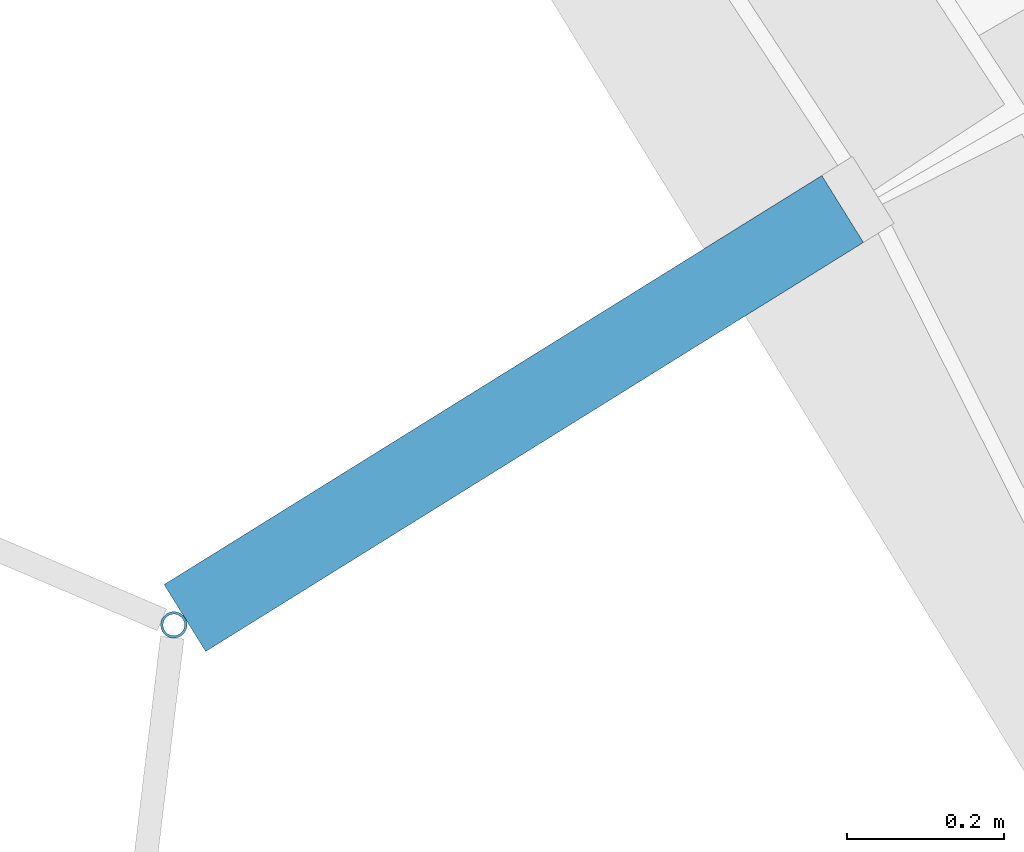
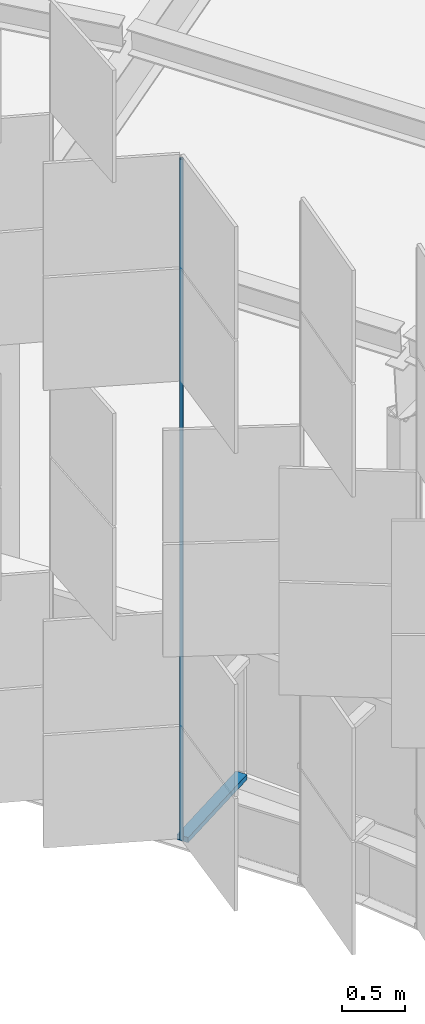
# One storey, part 252 of 483: 2 discrete accessories.
"""IFC4 building model written with IfcOpenShell, lengths in metres."""

from ifc_helpers import new_model, si_unit, direction, frame, origin, origin_2d, place, context, subcontext, project, spatial, rectangle, hollow_circle, extrude, material, material_profile, profile_set, type_object, element, save


model = new_model("IFC4")

# Units and contexts
model_context = context("Model", 3, precision=1e-05, world=origin(), true_north=direction((0.0, 1.0)))
body_context = subcontext(model_context, "Body", "Model", "MODEL_VIEW")
ifc_project = project(units=[si_unit("LENGTHUNIT", "METRE"), si_unit("AREAUNIT", "SQUARE_METRE"), si_unit("VOLUMEUNIT", "CUBIC_METRE"), si_unit("PLANEANGLEUNIT", "RADIAN"), si_unit("MASSUNIT", "GRAM", prefix="KILO")], contexts=[model_context])

# Site, building, storey
site_placement = place(None, origin())
site = spatial("IfcSite", under=ifc_project, at=site_placement, CompositionType="ELEMENT")
building_placement = place(site_placement, origin())
building = spatial("IfcBuilding", under=site, at=building_placement, Name="Parallax Yard Mobility Hub", CompositionType="ELEMENT")
storey_placement = place(building_placement, frame((0.0, 0.0, 13.199951171875)))
storey = spatial("IfcBuildingStorey", under=building, at=storey_placement, Name="L04", CompositionType="ELEMENT", Elevation=13.199951171875)

# Discrete accessories
ifc_material_1 = material(Name="Steel ASTM A36, hot-dip galvanised", Category="steel")
discrete_accessory_type_1 = type_object("IfcDiscreteAccessoryType", Name="Hinge bracket plate 100x50", PredefinedType="BRACKET", material=ifc_material_1)
discrete_accessory_1_placement = place(storey_placement, frame((191.56298828125, 100.998779296875, -0.02490234375), z_axis=(0.0, 0.0, 1.0), x_axis=(-0.849202181527, -0.52806785065, 0.0)))
element("IfcDiscreteAccessory", 1, at=discrete_accessory_1_placement, inside=storey, type_object=discrete_accessory_type_1, Name="Hinge bracket plate bay 21.3 level L04", PredefinedType="BRACKET", context=body_context, shape_type="SweptSolid", body=[
    extrude(rectangle(XDim=0.984130859375, YDim=0.10009765625, at=origin_2d()), origin(), (0.0, 0.0, 1.0), 0.050048828125),
])
ifc_material_2 = material(Name="Steel ASTM A500 Gr C, hot-dip galvanised", Category="steel")
ifc_material_profile = material_profile(ifc_material_2, hollow_circle(Radius=0.016845703125, WallThickness=0.003173828125, at=origin_2d()), Name="CHS 33.7x3.2")
ifc_profile_set = profile_set([ifc_material_profile], Name="Steel ASTM A500 Gr C, hot-dip galvanised")
discrete_accessory_type_2 = type_object("IfcDiscreteAccessoryType", Name="Hinge post CHS 33.7x3.2", PredefinedType="BRACKET", material=ifc_profile_set)
discrete_accessory_2_placement = place(storey_placement, frame((191.131103515625, 100.730224609375, 0.0), z_axis=(0.0, 0.0, 1.0), x_axis=(1.0, 0.0, 0.0)))
element("IfcDiscreteAccessory", 2, at=discrete_accessory_2_placement, inside=storey, type_object=discrete_accessory_type_2, Name="Hinge post bay 21.3 level L04", PredefinedType="BRACKET", context=body_context, shape_type="SweptSolid", body=[
    extrude(hollow_circle(Radius=0.016845703125, WallThickness=0.003173828125, at=origin_2d()), origin(), (0.0, 0.0, 1.0), 6.550048828125),
])

save(model, "model.ifc")
